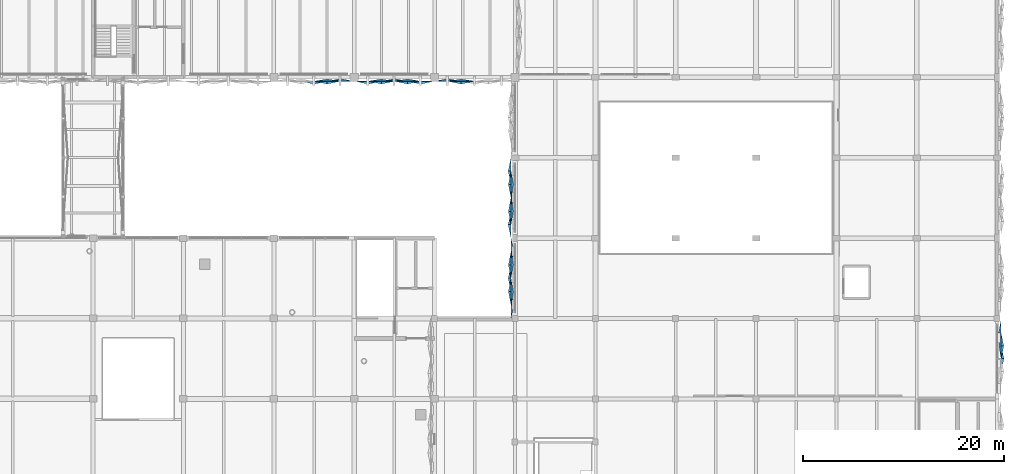
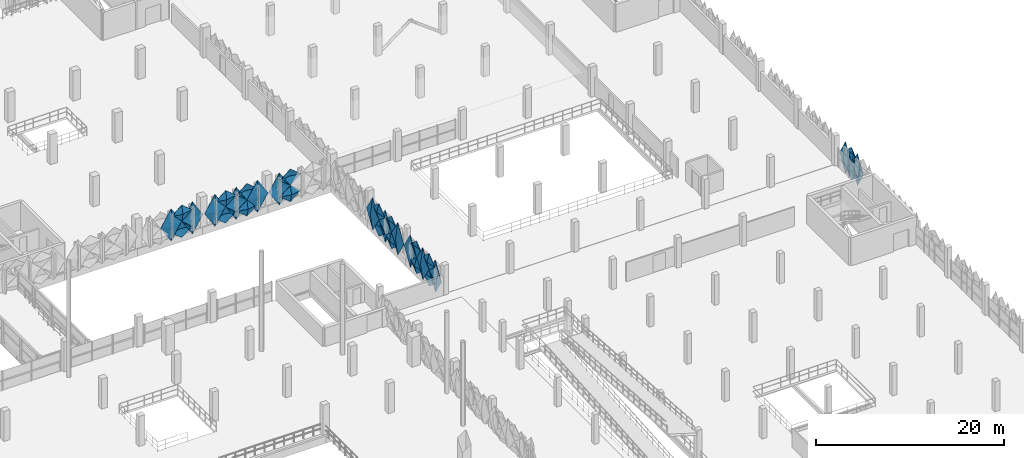
# One storey, part 98 of 123: 32 plates.
"""IFC4 building model written with IfcOpenShell, lengths in metres."""

from ifc_helpers import new_model, si_unit, derived_unit, direction, frame, origin, place, context, subcontext, project, spatial, polygons, material, layer, layer_set, type_object, element, save


model = new_model("IFC4")

# Units and contexts
model_context = context("Model", 3, precision=1e-05, world=origin(), true_north=direction((0.0, 1.0)))
body_context = subcontext(model_context, "Body", "Model", "MODEL_VIEW")
ifc_project = project(units=[si_unit("LENGTHUNIT", "METRE"), si_unit("AREAUNIT", "SQUARE_METRE"), si_unit("VOLUMEUNIT", "CUBIC_METRE"), si_unit("PLANEANGLEUNIT", "RADIAN"), si_unit("MASSUNIT", "GRAM", prefix="KILO"), si_unit("THERMODYNAMICTEMPERATUREUNIT", "KELVIN"), derived_unit("THERMALTRANSMITTANCEUNIT", [(si_unit("POWERUNIT", "WATT"), 1), (si_unit("AREAUNIT", "SQUARE_METRE"), -1), (si_unit("THERMODYNAMICTEMPERATUREUNIT", "KELVIN"), -1)])], contexts=[model_context])

# Site, building, storey
site_placement = place(None, origin())
site = spatial("IfcSite", under=ifc_project, at=site_placement, CompositionType="ELEMENT")
building_placement = place(site_placement, origin())
building = spatial("IfcBuilding", under=site, at=building_placement, Name="Haiyu Intermodal Mobility Hub", CompositionType="ELEMENT")
storey_placement = place(building_placement, frame((0.0, 0.0, 5.60009765625)))
storey = spatial("IfcBuildingStorey", under=building, at=storey_placement, Name="L01", CompositionType="ELEMENT", Elevation=5.60009765625)

# Plates
ifc_material = material(Name="Anodised aluminium 6063-T6", Category="aluminium")
ifc_layer_1 = layer(ifc_material, 0.01806640625)
ifc_layer_set_1 = layer_set([ifc_layer_1], Name="Anodised aluminium 6063-T6")
plate_type_1 = type_object("IfcPlateType", Name="PLT-FC03", PredefinedType="USERDEFINED", material=ifc_layer_set_1)
plate_1_placement = place(storey_placement, origin())
element("IfcPlate", 1, at=plate_1_placement, inside=storey, type_object=plate_type_1, Name="PLT-PYR-1015", ObjectType="FACADE CASSETTE", PredefinedType="USERDEFINED", context=body_context, shape_type="Tessellation", body=[
    polygons([(147.386962890625, 103.60009765625, -0.510009765625), (148.673095703125, 103.60009765625, 1.599853515625), (147.386962890625, 103.60009765625, 3.7099609375), (146.10009765625, 103.60009765625, 1.599853515625), (147.386962890625, 103.320068359375, 1.599853515625), (147.386962890625, 103.6220703125, -0.510009765625), (148.673095703125, 103.6220703125, 1.599853515625), (147.386962890625, 103.6220703125, 3.7099609375), (146.10009765625, 103.6220703125, 1.599853515625), (147.386962890625, 103.342041015625, 1.599853515625)], [[[1, 2, 5]], [[2, 3, 5]], [[3, 4, 5]], [[4, 1, 5]], [[7, 6, 10]], [[8, 7, 10]], [[9, 8, 10]], [[6, 9, 10]], [[1, 6, 7, 2]], [[2, 7, 8, 3]], [[3, 8, 9, 4]], [[4, 9, 6, 1]]], closed=True),
])
plate_2_placement = place(storey_placement, origin())
element("IfcPlate", 2, at=plate_2_placement, inside=storey, type_object=plate_type_1, Name="PLT-PYR-1019", ObjectType="FACADE CASSETTE", PredefinedType="USERDEFINED", context=body_context, shape_type="Tessellation", body=[
    polygons([(151.306884765625, 103.60009765625, -0.52001953125), (152.593017578125, 103.60009765625, 0.52978515625), (151.306884765625, 103.60009765625, 1.579833984375), (150.02001953125, 103.60009765625, 0.52978515625), (151.306884765625, 103.340087890625, 0.52978515625), (151.306884765625, 103.6220703125, -0.52001953125), (152.593017578125, 103.6220703125, 0.52978515625), (151.306884765625, 103.6220703125, 1.579833984375), (150.02001953125, 103.6220703125, 0.52978515625), (151.306884765625, 103.362060546875, 0.52978515625)], [[[1, 2, 5]], [[2, 3, 5]], [[3, 4, 5]], [[4, 1, 5]], [[7, 6, 10]], [[8, 7, 10]], [[9, 8, 10]], [[6, 9, 10]], [[1, 6, 7, 2]], [[2, 7, 8, 3]], [[3, 8, 9, 4]], [[4, 9, 6, 1]]], closed=True),
])
plate_3_placement = place(storey_placement, origin())
element("IfcPlate", 3, at=plate_3_placement, inside=storey, type_object=plate_type_1, Name="PLT-PYR-2086", ObjectType="FACADE CASSETTE", PredefinedType="USERDEFINED", context=body_context, shape_type="Tessellation", body=[
    polygons([(161.60009765625, 85.3330078125, -0.52001953125), (161.60009765625, 84.02001953125, 0.52978515625), (161.60009765625, 85.3330078125, 1.579833984375), (161.60009765625, 86.64697265625, 0.52978515625), (161.340087890625, 85.3330078125, 0.52978515625), (161.6220703125, 85.3330078125, -0.52001953125), (161.6220703125, 84.02001953125, 0.52978515625), (161.6220703125, 85.3330078125, 1.579833984375), (161.6220703125, 86.64697265625, 0.52978515625), (161.362060546875, 85.3330078125, 0.52978515625)], [[[1, 2, 5]], [[2, 3, 5]], [[3, 4, 5]], [[4, 1, 5]], [[7, 6, 10]], [[8, 7, 10]], [[9, 8, 10]], [[6, 9, 10]], [[1, 6, 7, 2]], [[2, 7, 8, 3]], [[3, 8, 9, 4]], [[4, 9, 6, 1]]], closed=True),
])
plate_4_placement = place(storey_placement, origin())
element("IfcPlate", 4, at=plate_4_placement, inside=storey, type_object=plate_type_1, Name="PLT-PYR-2092", ObjectType="FACADE CASSETTE", PredefinedType="USERDEFINED", context=body_context, shape_type="Tessellation", body=[
    polygons([(161.60009765625, 94.6669921875, -0.510009765625), (161.60009765625, 93.35302734375, 1.599853515625), (161.60009765625, 94.6669921875, 3.7099609375), (161.60009765625, 95.97998046875, 1.599853515625), (161.320068359375, 94.6669921875, 1.599853515625), (161.6220703125, 94.6669921875, -0.510009765625), (161.6220703125, 93.35302734375, 1.599853515625), (161.6220703125, 94.6669921875, 3.7099609375), (161.6220703125, 95.97998046875, 1.599853515625), (161.342041015625, 94.6669921875, 1.599853515625)], [[[1, 2, 5]], [[2, 3, 5]], [[3, 4, 5]], [[4, 1, 5]], [[7, 6, 10]], [[8, 7, 10]], [[9, 8, 10]], [[6, 9, 10]], [[1, 6, 7, 2]], [[2, 7, 8, 3]], [[3, 8, 9, 4]], [[4, 9, 6, 1]]], closed=True),
])
plate_5_placement = place(storey_placement, origin())
element("IfcPlate", 5, at=plate_5_placement, inside=storey, type_object=plate_type_1, Name="PLT-PYR-2096", ObjectType="FACADE CASSETTE", PredefinedType="USERDEFINED", context=body_context, shape_type="Tessellation", body=[
    polygons([(161.60009765625, 90.6669921875, -0.52001953125), (161.60009765625, 89.35302734375, 0.52978515625), (161.60009765625, 90.6669921875, 1.579833984375), (161.60009765625, 91.97998046875, 0.52978515625), (161.340087890625, 90.6669921875, 0.52978515625), (161.6220703125, 90.6669921875, -0.52001953125), (161.6220703125, 89.35302734375, 0.52978515625), (161.6220703125, 90.6669921875, 1.579833984375), (161.6220703125, 91.97998046875, 0.52978515625), (161.362060546875, 90.6669921875, 0.52978515625)], [[[1, 2, 5]], [[2, 3, 5]], [[3, 4, 5]], [[4, 1, 5]], [[7, 6, 10]], [[8, 7, 10]], [[9, 8, 10]], [[6, 9, 10]], [[1, 6, 7, 2]], [[2, 7, 8, 3]], [[3, 8, 9, 4]], [[4, 9, 6, 1]]], closed=True),
])
plate_6_placement = place(storey_placement, origin())
element("IfcPlate", 6, at=plate_6_placement, inside=storey, type_object=plate_type_1, Name="PLT-PYR-2282", ObjectType="FACADE CASSETTE", PredefinedType="USERDEFINED", context=body_context, shape_type="Tessellation", body=[
    polygons([(156.64990234375, 103.60009765625, -0.52001953125), (157.97998046875, 103.60009765625, 0.52978515625), (156.64990234375, 103.60009765625, 1.579833984375), (155.320068359375, 103.60009765625, 0.52978515625), (156.64990234375, 103.340087890625, 0.52978515625), (156.64990234375, 103.6220703125, -0.52001953125), (157.97998046875, 103.6220703125, 0.52978515625), (156.64990234375, 103.6220703125, 1.579833984375), (155.320068359375, 103.6220703125, 0.52978515625), (156.64990234375, 103.362060546875, 0.52978515625)], [[[1, 2, 5]], [[2, 3, 5]], [[3, 4, 5]], [[4, 1, 5]], [[7, 6, 10]], [[8, 7, 10]], [[9, 8, 10]], [[6, 9, 10]], [[1, 6, 7, 2]], [[2, 7, 8, 3]], [[3, 8, 9, 4]], [[4, 9, 6, 1]]], closed=True),
])
ifc_layer_2 = layer(ifc_material, 0.02001953125)
ifc_layer_set_2 = layer_set([ifc_layer_2], Name="Anodised aluminium 6063-T6")
plate_type_2 = type_object("IfcPlateType", Name="PLT-FC04", PredefinedType="USERDEFINED", material=ifc_layer_set_2)
plate_7_placement = place(storey_placement, origin())
element("IfcPlate", 7, at=plate_7_placement, inside=storey, type_object=plate_type_2, Name="PLT-PYR-0984", ObjectType="FACADE CASSETTE", PredefinedType="USERDEFINED", context=body_context, shape_type="Tessellation", body=[
    polygons([(143.306884765625, 103.60009765625, -0.52001953125), (144.593017578125, 103.60009765625, 0.52978515625), (143.306884765625, 103.60009765625, 1.579833984375), (142.02001953125, 103.60009765625, 0.52978515625), (143.306884765625, 103.820068359375, 0.52978515625), (143.306884765625, 103.6220703125, -0.52001953125), (144.593017578125, 103.6220703125, 0.52978515625), (143.306884765625, 103.6220703125, 1.579833984375), (142.02001953125, 103.6220703125, 0.52978515625), (143.306884765625, 103.842041015625, 0.52978515625)], [[[1, 2, 5]], [[2, 3, 5]], [[3, 4, 5]], [[4, 1, 5]], [[7, 6, 10]], [[8, 7, 10]], [[9, 8, 10]], [[6, 9, 10]], [[1, 6, 7, 2]], [[2, 7, 8, 3]], [[3, 8, 9, 4]], [[4, 9, 6, 1]]], closed=True),
])
plate_8_placement = place(storey_placement, origin())
element("IfcPlate", 8, at=plate_8_placement, inside=storey, type_object=plate_type_2, Name="PLT-PYR-1016", ObjectType="FACADE CASSETTE", PredefinedType="USERDEFINED", context=body_context, shape_type="Tessellation", body=[
    polygons([(148.693115234375, 103.60009765625, -0.52001953125), (149.97998046875, 103.60009765625, 0.52978515625), (148.693115234375, 103.60009765625, 1.579833984375), (147.406982421875, 103.60009765625, 0.52978515625), (148.693115234375, 103.820068359375, 0.52978515625), (148.693115234375, 103.6220703125, -0.52001953125), (149.97998046875, 103.6220703125, 0.52978515625), (148.693115234375, 103.6220703125, 1.579833984375), (147.406982421875, 103.6220703125, 0.52978515625), (148.693115234375, 103.842041015625, 0.52978515625)], [[[1, 2, 5]], [[2, 3, 5]], [[3, 4, 5]], [[4, 1, 5]], [[7, 6, 10]], [[8, 7, 10]], [[9, 8, 10]], [[6, 9, 10]], [[1, 6, 7, 2]], [[2, 7, 8, 3]], [[3, 8, 9, 4]], [[4, 9, 6, 1]]], closed=True),
])
plate_9_placement = place(storey_placement, origin())
element("IfcPlate", 9, at=plate_9_placement, inside=storey, type_object=plate_type_2, Name="PLT-PYR-1563", ObjectType="FACADE CASSETTE", PredefinedType="USERDEFINED", context=body_context, shape_type="Tessellation", body=[
    polygons([(210.39990234375, 77.26708984375, -0.52001953125), (210.39990234375, 78.512939453125, 0.52978515625), (210.39990234375, 77.26708984375, 1.579833984375), (210.39990234375, 76.02001953125, 0.52978515625), (210.179931640625, 77.26708984375, 0.52978515625), (210.3779296875, 77.26708984375, -0.52001953125), (210.3779296875, 78.512939453125, 0.52978515625), (210.3779296875, 77.26708984375, 1.579833984375), (210.3779296875, 76.02001953125, 0.52978515625), (210.157958984375, 77.26708984375, 0.52978515625)], [[[1, 2, 5]], [[2, 3, 5]], [[3, 4, 5]], [[4, 1, 5]], [[7, 6, 10]], [[8, 7, 10]], [[9, 8, 10]], [[6, 9, 10]], [[1, 6, 7, 2]], [[2, 7, 8, 3]], [[3, 8, 9, 4]], [[4, 9, 6, 1]]], closed=True),
])
plate_10_placement = place(storey_placement, origin())
element("IfcPlate", 10, at=plate_10_placement, inside=storey, type_object=plate_type_2, Name="PLT-PYR-2085", ObjectType="FACADE CASSETTE", PredefinedType="USERDEFINED", context=body_context, shape_type="Tessellation", body=[
    polygons([(161.60009765625, 86.6669921875, -0.510009765625), (161.60009765625, 85.35302734375, 1.599853515625), (161.60009765625, 86.6669921875, 3.7099609375), (161.60009765625, 87.97998046875, 1.599853515625), (161.860107421875, 86.6669921875, 1.599853515625), (161.6220703125, 86.6669921875, -0.510009765625), (161.6220703125, 85.35302734375, 1.599853515625), (161.6220703125, 86.6669921875, 3.7099609375), (161.6220703125, 87.97998046875, 1.599853515625), (161.882080078125, 86.6669921875, 1.599853515625)], [[[1, 2, 5]], [[2, 3, 5]], [[3, 4, 5]], [[4, 1, 5]], [[7, 6, 10]], [[8, 7, 10]], [[9, 8, 10]], [[6, 9, 10]], [[1, 6, 7, 2]], [[2, 7, 8, 3]], [[3, 8, 9, 4]], [[4, 9, 6, 1]]], closed=True),
])
plate_11_placement = place(storey_placement, origin())
element("IfcPlate", 11, at=plate_11_placement, inside=storey, type_object=plate_type_2, Name="PLT-PYR-2089", ObjectType="FACADE CASSETTE", PredefinedType="USERDEFINED", context=body_context, shape_type="Tessellation", body=[
    polygons([(161.60009765625, 82.6669921875, -0.52001953125), (161.60009765625, 81.35302734375, 0.52978515625), (161.60009765625, 82.6669921875, 1.579833984375), (161.60009765625, 83.97998046875, 0.52978515625), (161.820068359375, 82.6669921875, 0.52978515625), (161.6220703125, 82.6669921875, -0.52001953125), (161.6220703125, 81.35302734375, 0.52978515625), (161.6220703125, 82.6669921875, 1.579833984375), (161.6220703125, 83.97998046875, 0.52978515625), (161.842041015625, 82.6669921875, 0.52978515625)], [[[1, 2, 5]], [[2, 3, 5]], [[3, 4, 5]], [[4, 1, 5]], [[7, 6, 10]], [[8, 7, 10]], [[9, 8, 10]], [[6, 9, 10]], [[1, 6, 7, 2]], [[2, 7, 8, 3]], [[3, 8, 9, 4]], [[4, 9, 6, 1]]], closed=True),
])
plate_12_placement = place(storey_placement, origin())
element("IfcPlate", 12, at=plate_12_placement, inside=storey, type_object=plate_type_2, Name="PLT-PYR-2093", ObjectType="FACADE CASSETTE", PredefinedType="USERDEFINED", context=body_context, shape_type="Tessellation", body=[
    polygons([(161.60009765625, 93.3330078125, -0.52001953125), (161.60009765625, 92.02001953125, 0.52978515625), (161.60009765625, 93.3330078125, 1.579833984375), (161.60009765625, 94.64697265625, 0.52978515625), (161.820068359375, 93.3330078125, 0.52978515625), (161.6220703125, 93.3330078125, -0.52001953125), (161.6220703125, 92.02001953125, 0.52978515625), (161.6220703125, 93.3330078125, 1.579833984375), (161.6220703125, 94.64697265625, 0.52978515625), (161.842041015625, 93.3330078125, 0.52978515625)], [[[1, 2, 5]], [[2, 3, 5]], [[3, 4, 5]], [[4, 1, 5]], [[7, 6, 10]], [[8, 7, 10]], [[9, 8, 10]], [[6, 9, 10]], [[1, 6, 7, 2]], [[2, 7, 8, 3]], [[3, 8, 9, 4]], [[4, 9, 6, 1]]], closed=True),
])
plate_13_placement = place(storey_placement, origin())
element("IfcPlate", 13, at=plate_13_placement, inside=storey, type_object=plate_type_2, Name="PLT-PYR-2281", ObjectType="FACADE CASSETTE", PredefinedType="USERDEFINED", context=body_context, shape_type="Tessellation", body=[
    polygons([(155.300048828125, 103.60009765625, -0.510009765625), (156.6298828125, 103.60009765625, 1.599853515625), (155.300048828125, 103.60009765625, 3.7099609375), (153.969970703125, 103.60009765625, 1.599853515625), (155.300048828125, 103.860107421875, 1.599853515625), (155.300048828125, 103.6220703125, -0.510009765625), (156.6298828125, 103.6220703125, 1.599853515625), (155.300048828125, 103.6220703125, 3.7099609375), (153.969970703125, 103.6220703125, 1.599853515625), (155.300048828125, 103.882080078125, 1.599853515625)], [[[1, 2, 5]], [[2, 3, 5]], [[3, 4, 5]], [[4, 1, 5]], [[7, 6, 10]], [[8, 7, 10]], [[9, 8, 10]], [[6, 9, 10]], [[1, 6, 7, 2]], [[2, 7, 8, 3]], [[3, 8, 9, 4]], [[4, 9, 6, 1]]], closed=True),
])
ifc_layer_3 = layer(ifc_material, 0.01806640625)
ifc_layer_set_3 = layer_set([ifc_layer_3], Name="Anodised aluminium 6063-T6")
plate_type_3 = type_object("IfcPlateType", Name="PLT-FC05", PredefinedType="USERDEFINED", material=ifc_layer_set_3)
plate_14_placement = place(storey_placement, origin())
element("IfcPlate", 14, at=plate_14_placement, inside=storey, type_object=plate_type_3, Name="PLT-PYR-0983", ObjectType="FACADE CASSETTE", PredefinedType="USERDEFINED", context=body_context, shape_type="Tessellation", body=[
    polygons([(142.0, 103.60009765625, -0.510009765625), (143.287109375, 103.60009765625, 1.599853515625), (142.0, 103.60009765625, 3.7099609375), (140.712890625, 103.60009765625, 1.599853515625), (142.0, 103.320068359375, 1.599853515625), (142.0, 103.6220703125, -0.510009765625), (143.287109375, 103.6220703125, 1.599853515625), (142.0, 103.6220703125, 3.7099609375), (140.712890625, 103.6220703125, 1.599853515625), (142.0, 103.342041015625, 1.599853515625)], [[[1, 2, 5]], [[2, 3, 5]], [[3, 4, 5]], [[4, 1, 5]], [[7, 6, 10]], [[8, 7, 10]], [[9, 8, 10]], [[6, 9, 10]], [[1, 6, 7, 2]], [[2, 7, 8, 3]], [[3, 8, 9, 4]], [[4, 9, 6, 1]]], closed=True),
])
plate_15_placement = place(storey_placement, origin())
element("IfcPlate", 15, at=plate_15_placement, inside=storey, type_object=plate_type_3, Name="PLT-PYR-0985", ObjectType="FACADE CASSETTE", PredefinedType="USERDEFINED", context=body_context, shape_type="Tessellation", body=[
    polygons([(143.306884765625, 103.60009765625, 1.619873046875), (144.593017578125, 103.60009765625, 2.669921875), (143.306884765625, 103.60009765625, 3.719970703125), (142.02001953125, 103.60009765625, 2.669921875), (143.306884765625, 103.340087890625, 2.669921875), (143.306884765625, 103.6220703125, 1.619873046875), (144.593017578125, 103.6220703125, 2.669921875), (143.306884765625, 103.6220703125, 3.719970703125), (142.02001953125, 103.6220703125, 2.669921875), (143.306884765625, 103.362060546875, 2.669921875)], [[[1, 2, 5]], [[2, 3, 5]], [[3, 4, 5]], [[4, 1, 5]], [[7, 6, 10]], [[8, 7, 10]], [[9, 8, 10]], [[6, 9, 10]], [[1, 6, 7, 2]], [[2, 7, 8, 3]], [[3, 8, 9, 4]], [[4, 9, 6, 1]]], closed=True),
])
plate_16_placement = place(storey_placement, origin())
element("IfcPlate", 16, at=plate_16_placement, inside=storey, type_object=plate_type_3, Name="PLT-PYR-1017", ObjectType="FACADE CASSETTE", PredefinedType="USERDEFINED", context=body_context, shape_type="Tessellation", body=[
    polygons([(148.693115234375, 103.60009765625, 1.619873046875), (149.97998046875, 103.60009765625, 2.669921875), (148.693115234375, 103.60009765625, 3.719970703125), (147.406982421875, 103.60009765625, 2.669921875), (148.693115234375, 103.340087890625, 2.669921875), (148.693115234375, 103.6220703125, 1.619873046875), (149.97998046875, 103.6220703125, 2.669921875), (148.693115234375, 103.6220703125, 3.719970703125), (147.406982421875, 103.6220703125, 2.669921875), (148.693115234375, 103.362060546875, 2.669921875)], [[[1, 2, 5]], [[2, 3, 5]], [[3, 4, 5]], [[4, 1, 5]], [[7, 6, 10]], [[8, 7, 10]], [[9, 8, 10]], [[6, 9, 10]], [[1, 6, 7, 2]], [[2, 7, 8, 3]], [[3, 8, 9, 4]], [[4, 9, 6, 1]]], closed=True),
])
plate_17_placement = place(storey_placement, origin())
element("IfcPlate", 17, at=plate_17_placement, inside=storey, type_object=plate_type_3, Name="PLT-PYR-1562", ObjectType="FACADE CASSETTE", PredefinedType="USERDEFINED", context=body_context, shape_type="Tessellation", body=[
    polygons([(210.39990234375, 76.0, -0.510009765625), (210.39990234375, 77.2470703125, 1.599853515625), (210.39990234375, 76.0, 3.7099609375), (210.39990234375, 74.7529296875, 1.599853515625), (210.679931640625, 76.0, 1.599853515625), (210.3779296875, 76.0, -0.510009765625), (210.3779296875, 77.2470703125, 1.599853515625), (210.3779296875, 76.0, 3.7099609375), (210.3779296875, 74.7529296875, 1.599853515625), (210.657958984375, 76.0, 1.599853515625)], [[[1, 2, 5]], [[2, 3, 5]], [[3, 4, 5]], [[4, 1, 5]], [[7, 6, 10]], [[8, 7, 10]], [[9, 8, 10]], [[6, 9, 10]], [[1, 6, 7, 2]], [[2, 7, 8, 3]], [[3, 8, 9, 4]], [[4, 9, 6, 1]]], closed=True),
])
plate_18_placement = place(storey_placement, origin())
element("IfcPlate", 18, at=plate_18_placement, inside=storey, type_object=plate_type_3, Name="PLT-PYR-1564", ObjectType="FACADE CASSETTE", PredefinedType="USERDEFINED", context=body_context, shape_type="Tessellation", body=[
    polygons([(210.39990234375, 77.26708984375, 1.619873046875), (210.39990234375, 78.512939453125, 2.669921875), (210.39990234375, 77.26708984375, 3.719970703125), (210.39990234375, 76.02001953125, 2.669921875), (210.659912109375, 77.26708984375, 2.669921875), (210.3779296875, 77.26708984375, 1.619873046875), (210.3779296875, 78.512939453125, 2.669921875), (210.3779296875, 77.26708984375, 3.719970703125), (210.3779296875, 76.02001953125, 2.669921875), (210.637939453125, 77.26708984375, 2.669921875)], [[[1, 2, 5]], [[2, 3, 5]], [[3, 4, 5]], [[4, 1, 5]], [[7, 6, 10]], [[8, 7, 10]], [[9, 8, 10]], [[6, 9, 10]], [[1, 6, 7, 2]], [[2, 7, 8, 3]], [[3, 8, 9, 4]], [[4, 9, 6, 1]]], closed=True),
])
plate_19_placement = place(storey_placement, origin())
element("IfcPlate", 19, at=plate_19_placement, inside=storey, type_object=plate_type_3, Name="PLT-PYR-2088", ObjectType="FACADE CASSETTE", PredefinedType="USERDEFINED", context=body_context, shape_type="Tessellation", body=[
    polygons([(161.60009765625, 84.0, -0.510009765625), (161.60009765625, 82.68701171875, 1.599853515625), (161.60009765625, 84.0, 3.7099609375), (161.60009765625, 85.31298828125, 1.599853515625), (161.320068359375, 84.0, 1.599853515625), (161.6220703125, 84.0, -0.510009765625), (161.6220703125, 82.68701171875, 1.599853515625), (161.6220703125, 84.0, 3.7099609375), (161.6220703125, 85.31298828125, 1.599853515625), (161.342041015625, 84.0, 1.599853515625)], [[[1, 2, 5]], [[2, 3, 5]], [[3, 4, 5]], [[4, 1, 5]], [[7, 6, 10]], [[8, 7, 10]], [[9, 8, 10]], [[6, 9, 10]], [[1, 6, 7, 2]], [[2, 7, 8, 3]], [[3, 8, 9, 4]], [[4, 9, 6, 1]]], closed=True),
])
plate_20_placement = place(storey_placement, origin())
element("IfcPlate", 20, at=plate_20_placement, inside=storey, type_object=plate_type_3, Name="PLT-PYR-2090", ObjectType="FACADE CASSETTE", PredefinedType="USERDEFINED", context=body_context, shape_type="Tessellation", body=[
    polygons([(161.60009765625, 82.6669921875, 1.619873046875), (161.60009765625, 81.35302734375, 2.669921875), (161.60009765625, 82.6669921875, 3.719970703125), (161.60009765625, 83.97998046875, 2.669921875), (161.340087890625, 82.6669921875, 2.669921875), (161.6220703125, 82.6669921875, 1.619873046875), (161.6220703125, 81.35302734375, 2.669921875), (161.6220703125, 82.6669921875, 3.719970703125), (161.6220703125, 83.97998046875, 2.669921875), (161.362060546875, 82.6669921875, 2.669921875)], [[[1, 2, 5]], [[2, 3, 5]], [[3, 4, 5]], [[4, 1, 5]], [[7, 6, 10]], [[8, 7, 10]], [[9, 8, 10]], [[6, 9, 10]], [[1, 6, 7, 2]], [[2, 7, 8, 3]], [[3, 8, 9, 4]], [[4, 9, 6, 1]]], closed=True),
])
plate_21_placement = place(storey_placement, origin())
element("IfcPlate", 21, at=plate_21_placement, inside=storey, type_object=plate_type_3, Name="PLT-PYR-2094", ObjectType="FACADE CASSETTE", PredefinedType="USERDEFINED", context=body_context, shape_type="Tessellation", body=[
    polygons([(161.60009765625, 93.3330078125, 1.619873046875), (161.60009765625, 92.02001953125, 2.669921875), (161.60009765625, 93.3330078125, 3.719970703125), (161.60009765625, 94.64697265625, 2.669921875), (161.340087890625, 93.3330078125, 2.669921875), (161.6220703125, 93.3330078125, 1.619873046875), (161.6220703125, 92.02001953125, 2.669921875), (161.6220703125, 93.3330078125, 3.719970703125), (161.6220703125, 94.64697265625, 2.669921875), (161.362060546875, 93.3330078125, 2.669921875)], [[[1, 2, 5]], [[2, 3, 5]], [[3, 4, 5]], [[4, 1, 5]], [[7, 6, 10]], [[8, 7, 10]], [[9, 8, 10]], [[6, 9, 10]], [[1, 6, 7, 2]], [[2, 7, 8, 3]], [[3, 8, 9, 4]], [[4, 9, 6, 1]]], closed=True),
])
ifc_layer_4 = layer(ifc_material, 0.02001953125)
ifc_layer_set_4 = layer_set([ifc_layer_4], Name="Anodised aluminium 6063-T6")
plate_type_4 = type_object("IfcPlateType", Name="PLT-FC06", PredefinedType="USERDEFINED", material=ifc_layer_set_4)
plate_22_placement = place(storey_placement, origin())
element("IfcPlate", 22, at=plate_22_placement, inside=storey, type_object=plate_type_4, Name="PLT-PYR-1018", ObjectType="FACADE CASSETTE", PredefinedType="USERDEFINED", context=body_context, shape_type="Tessellation", body=[
    polygons([(150.0, 103.60009765625, -0.510009765625), (151.287109375, 103.60009765625, 1.599853515625), (150.0, 103.60009765625, 3.7099609375), (148.712890625, 103.60009765625, 1.599853515625), (150.0, 103.860107421875, 1.599853515625), (150.0, 103.6220703125, -0.510009765625), (151.287109375, 103.6220703125, 1.599853515625), (150.0, 103.6220703125, 3.7099609375), (148.712890625, 103.6220703125, 1.599853515625), (150.0, 103.882080078125, 1.599853515625)], [[[1, 2, 5]], [[2, 3, 5]], [[3, 4, 5]], [[4, 1, 5]], [[7, 6, 10]], [[8, 7, 10]], [[9, 8, 10]], [[6, 9, 10]], [[1, 6, 7, 2]], [[2, 7, 8, 3]], [[3, 8, 9, 4]], [[4, 9, 6, 1]]], closed=True),
])
plate_23_placement = place(storey_placement, origin())
element("IfcPlate", 23, at=plate_23_placement, inside=storey, type_object=plate_type_4, Name="PLT-PYR-1020", ObjectType="FACADE CASSETTE", PredefinedType="USERDEFINED", context=body_context, shape_type="Tessellation", body=[
    polygons([(151.306884765625, 103.60009765625, 1.619873046875), (152.593017578125, 103.60009765625, 2.669921875), (151.306884765625, 103.60009765625, 3.719970703125), (150.02001953125, 103.60009765625, 2.669921875), (151.306884765625, 103.820068359375, 2.669921875), (151.306884765625, 103.6220703125, 1.619873046875), (152.593017578125, 103.6220703125, 2.669921875), (151.306884765625, 103.6220703125, 3.719970703125), (150.02001953125, 103.6220703125, 2.669921875), (151.306884765625, 103.842041015625, 2.669921875)], [[[1, 2, 5]], [[2, 3, 5]], [[3, 4, 5]], [[4, 1, 5]], [[7, 6, 10]], [[8, 7, 10]], [[9, 8, 10]], [[6, 9, 10]], [[1, 6, 7, 2]], [[2, 7, 8, 3]], [[3, 8, 9, 4]], [[4, 9, 6, 1]]], closed=True),
])
plate_24_placement = place(storey_placement, origin())
element("IfcPlate", 24, at=plate_24_placement, inside=storey, type_object=plate_type_4, Name="PLT-PYR-2087", ObjectType="FACADE CASSETTE", PredefinedType="USERDEFINED", context=body_context, shape_type="Tessellation", body=[
    polygons([(161.60009765625, 85.3330078125, 1.619873046875), (161.60009765625, 84.02001953125, 2.669921875), (161.60009765625, 85.3330078125, 3.719970703125), (161.60009765625, 86.64697265625, 2.669921875), (161.820068359375, 85.3330078125, 2.669921875), (161.6220703125, 85.3330078125, 1.619873046875), (161.6220703125, 84.02001953125, 2.669921875), (161.6220703125, 85.3330078125, 3.719970703125), (161.6220703125, 86.64697265625, 2.669921875), (161.842041015625, 85.3330078125, 2.669921875)], [[[1, 2, 5]], [[2, 3, 5]], [[3, 4, 5]], [[4, 1, 5]], [[7, 6, 10]], [[8, 7, 10]], [[9, 8, 10]], [[6, 9, 10]], [[1, 6, 7, 2]], [[2, 7, 8, 3]], [[3, 8, 9, 4]], [[4, 9, 6, 1]]], closed=True),
])
plate_25_placement = place(storey_placement, origin())
element("IfcPlate", 25, at=plate_25_placement, inside=storey, type_object=plate_type_4, Name="PLT-PYR-2095", ObjectType="FACADE CASSETTE", PredefinedType="USERDEFINED", context=body_context, shape_type="Tessellation", body=[
    polygons([(161.60009765625, 92.0, -0.510009765625), (161.60009765625, 90.68701171875, 1.599853515625), (161.60009765625, 92.0, 3.7099609375), (161.60009765625, 93.31298828125, 1.599853515625), (161.860107421875, 92.0, 1.599853515625), (161.6220703125, 92.0, -0.510009765625), (161.6220703125, 90.68701171875, 1.599853515625), (161.6220703125, 92.0, 3.7099609375), (161.6220703125, 93.31298828125, 1.599853515625), (161.882080078125, 92.0, 1.599853515625)], [[[1, 2, 5]], [[2, 3, 5]], [[3, 4, 5]], [[4, 1, 5]], [[7, 6, 10]], [[8, 7, 10]], [[9, 8, 10]], [[6, 9, 10]], [[1, 6, 7, 2]], [[2, 7, 8, 3]], [[3, 8, 9, 4]], [[4, 9, 6, 1]]], closed=True),
])
plate_26_placement = place(storey_placement, origin())
element("IfcPlate", 26, at=plate_26_placement, inside=storey, type_object=plate_type_4, Name="PLT-PYR-2097", ObjectType="FACADE CASSETTE", PredefinedType="USERDEFINED", context=body_context, shape_type="Tessellation", body=[
    polygons([(161.60009765625, 90.6669921875, 1.619873046875), (161.60009765625, 89.35302734375, 2.669921875), (161.60009765625, 90.6669921875, 3.719970703125), (161.60009765625, 91.97998046875, 2.669921875), (161.820068359375, 90.6669921875, 2.669921875), (161.6220703125, 90.6669921875, 1.619873046875), (161.6220703125, 89.35302734375, 2.669921875), (161.6220703125, 90.6669921875, 3.719970703125), (161.6220703125, 91.97998046875, 2.669921875), (161.842041015625, 90.6669921875, 2.669921875)], [[[1, 2, 5]], [[2, 3, 5]], [[3, 4, 5]], [[4, 1, 5]], [[7, 6, 10]], [[8, 7, 10]], [[9, 8, 10]], [[6, 9, 10]], [[1, 6, 7, 2]], [[2, 7, 8, 3]], [[3, 8, 9, 4]], [[4, 9, 6, 1]]], closed=True),
])
plate_27_placement = place(storey_placement, origin())
element("IfcPlate", 27, at=plate_27_placement, inside=storey, type_object=plate_type_4, Name="PLT-PYR-2283", ObjectType="FACADE CASSETTE", PredefinedType="USERDEFINED", context=body_context, shape_type="Tessellation", body=[
    polygons([(156.64990234375, 103.60009765625, 1.619873046875), (157.97998046875, 103.60009765625, 2.669921875), (156.64990234375, 103.60009765625, 3.719970703125), (155.320068359375, 103.60009765625, 2.669921875), (156.64990234375, 103.820068359375, 2.669921875), (156.64990234375, 103.6220703125, 1.619873046875), (157.97998046875, 103.6220703125, 2.669921875), (156.64990234375, 103.6220703125, 3.719970703125), (155.320068359375, 103.6220703125, 2.669921875), (156.64990234375, 103.842041015625, 2.669921875)], [[[1, 2, 5]], [[2, 3, 5]], [[3, 4, 5]], [[4, 1, 5]], [[7, 6, 10]], [[8, 7, 10]], [[9, 8, 10]], [[6, 9, 10]], [[1, 6, 7, 2]], [[2, 7, 8, 3]], [[3, 8, 9, 4]], [[4, 9, 6, 1]]], closed=True),
])
ifc_layer_5 = layer(ifc_material, 0.02197265625)
ifc_layer_set_5 = layer_set([ifc_layer_5], Name="Anodised aluminium 6063-T6")
plate_type_5 = type_object("IfcPlateType", Name="PLT-FC07", PredefinedType="USERDEFINED", material=ifc_layer_set_5)
plate_28_placement = place(storey_placement, origin())
element("IfcPlate", 28, at=plate_28_placement, inside=storey, type_object=plate_type_5, Name="PLT-PYR-1021", ObjectType="FACADE CASSETTE", PredefinedType="USERDEFINED", context=body_context, shape_type="Tessellation", body=[
    polygons([(152.613037109375, 103.60009765625, -0.510009765625), (153.89990234375, 103.60009765625, 1.599853515625), (152.613037109375, 103.60009765625, 3.7099609375), (151.326904296875, 103.60009765625, 1.599853515625), (152.613037109375, 103.320068359375, 1.599853515625), (152.613037109375, 103.6220703125, -0.510009765625), (153.89990234375, 103.6220703125, 1.599853515625), (152.613037109375, 103.6220703125, 3.7099609375), (151.326904296875, 103.6220703125, 1.599853515625), (152.613037109375, 103.342041015625, 1.599853515625)], [[[1, 2, 5]], [[2, 3, 5]], [[3, 4, 5]], [[4, 1, 5]], [[7, 6, 10]], [[8, 7, 10]], [[9, 8, 10]], [[6, 9, 10]], [[1, 6, 7, 2]], [[2, 7, 8, 3]], [[3, 8, 9, 4]], [[4, 9, 6, 1]]], closed=True),
])
plate_29_placement = place(storey_placement, origin())
element("IfcPlate", 29, at=plate_29_placement, inside=storey, type_object=plate_type_5, Name="PLT-PYR-2098", ObjectType="FACADE CASSETTE", PredefinedType="USERDEFINED", context=body_context, shape_type="Tessellation", body=[
    polygons([(161.60009765625, 89.3330078125, -0.510009765625), (161.60009765625, 88.02001953125, 1.599853515625), (161.60009765625, 89.3330078125, 3.7099609375), (161.60009765625, 90.64697265625, 1.599853515625), (161.320068359375, 89.3330078125, 1.599853515625), (161.6220703125, 89.3330078125, -0.510009765625), (161.6220703125, 88.02001953125, 1.599853515625), (161.6220703125, 89.3330078125, 3.7099609375), (161.6220703125, 90.64697265625, 1.599853515625), (161.342041015625, 89.3330078125, 1.599853515625)], [[[1, 2, 5]], [[2, 3, 5]], [[3, 4, 5]], [[4, 1, 5]], [[7, 6, 10]], [[8, 7, 10]], [[9, 8, 10]], [[6, 9, 10]], [[1, 6, 7, 2]], [[2, 7, 8, 3]], [[3, 8, 9, 4]], [[4, 9, 6, 1]]], closed=True),
])
ifc_layer_6 = layer(ifc_material, 0.02392578125)
ifc_layer_set_6 = layer_set([ifc_layer_6], Name="Anodised aluminium 6063-T6")
plate_type_6 = type_object("IfcPlateType", Name="PLT-FC08", PredefinedType="USERDEFINED", material=ifc_layer_set_6)
plate_30_placement = place(storey_placement, origin())
element("IfcPlate", 30, at=plate_30_placement, inside=storey, type_object=plate_type_6, Name="PLT-PYR-0986", ObjectType="FACADE CASSETTE", PredefinedType="USERDEFINED", context=body_context, shape_type="Tessellation", body=[
    polygons([(144.613037109375, 103.60009765625, -0.510009765625), (145.89990234375, 103.60009765625, 1.599853515625), (144.613037109375, 103.60009765625, 3.7099609375), (143.326904296875, 103.60009765625, 1.599853515625), (144.613037109375, 103.860107421875, 1.599853515625), (144.613037109375, 103.6220703125, -0.510009765625), (145.89990234375, 103.6220703125, 1.599853515625), (144.613037109375, 103.6220703125, 3.7099609375), (143.326904296875, 103.6220703125, 1.599853515625), (144.613037109375, 103.882080078125, 1.599853515625)], [[[1, 2, 5]], [[2, 3, 5]], [[3, 4, 5]], [[4, 1, 5]], [[7, 6, 10]], [[8, 7, 10]], [[9, 8, 10]], [[6, 9, 10]], [[1, 6, 7, 2]], [[2, 7, 8, 3]], [[3, 8, 9, 4]], [[4, 9, 6, 1]]], closed=True),
])
plate_31_placement = place(storey_placement, origin())
element("IfcPlate", 31, at=plate_31_placement, inside=storey, type_object=plate_type_6, Name="PLT-PYR-1565", ObjectType="FACADE CASSETTE", PredefinedType="USERDEFINED", context=body_context, shape_type="Tessellation", body=[
    polygons([(210.39990234375, 78.532958984375, -0.510009765625), (210.39990234375, 79.780029296875, 1.599853515625), (210.39990234375, 78.532958984375, 3.7099609375), (210.39990234375, 77.287109375, 1.599853515625), (210.139892578125, 78.532958984375, 1.599853515625), (210.3779296875, 78.532958984375, -0.510009765625), (210.3779296875, 79.780029296875, 1.599853515625), (210.3779296875, 78.532958984375, 3.7099609375), (210.3779296875, 77.287109375, 1.599853515625), (210.117919921875, 78.532958984375, 1.599853515625)], [[[1, 2, 5]], [[2, 3, 5]], [[3, 4, 5]], [[4, 1, 5]], [[7, 6, 10]], [[8, 7, 10]], [[9, 8, 10]], [[6, 9, 10]], [[1, 6, 7, 2]], [[2, 7, 8, 3]], [[3, 8, 9, 4]], [[4, 9, 6, 1]]], closed=True),
])
plate_32_placement = place(storey_placement, origin())
element("IfcPlate", 32, at=plate_32_placement, inside=storey, type_object=plate_type_6, Name="PLT-PYR-2091", ObjectType="FACADE CASSETTE", PredefinedType="USERDEFINED", context=body_context, shape_type="Tessellation", body=[
    polygons([(161.60009765625, 81.3330078125, -0.510009765625), (161.60009765625, 80.02001953125, 1.599853515625), (161.60009765625, 81.3330078125, 3.7099609375), (161.60009765625, 82.64697265625, 1.599853515625), (161.860107421875, 81.3330078125, 1.599853515625), (161.6220703125, 81.3330078125, -0.510009765625), (161.6220703125, 80.02001953125, 1.599853515625), (161.6220703125, 81.3330078125, 3.7099609375), (161.6220703125, 82.64697265625, 1.599853515625), (161.882080078125, 81.3330078125, 1.599853515625)], [[[1, 2, 5]], [[2, 3, 5]], [[3, 4, 5]], [[4, 1, 5]], [[7, 6, 10]], [[8, 7, 10]], [[9, 8, 10]], [[6, 9, 10]], [[1, 6, 7, 2]], [[2, 7, 8, 3]], [[3, 8, 9, 4]], [[4, 9, 6, 1]]], closed=True),
])

save(model, "model.ifc")
